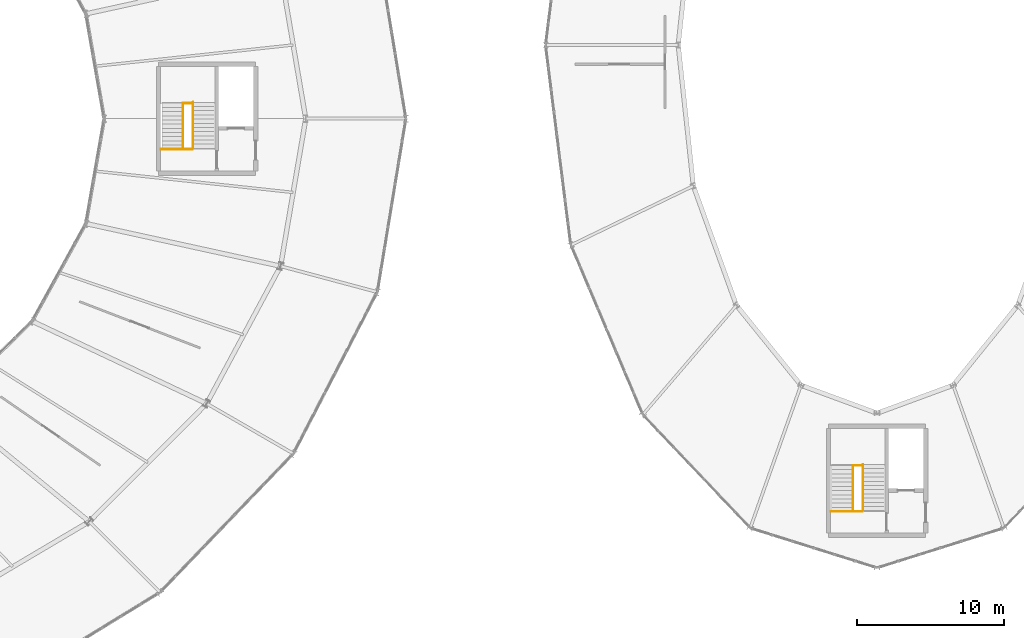
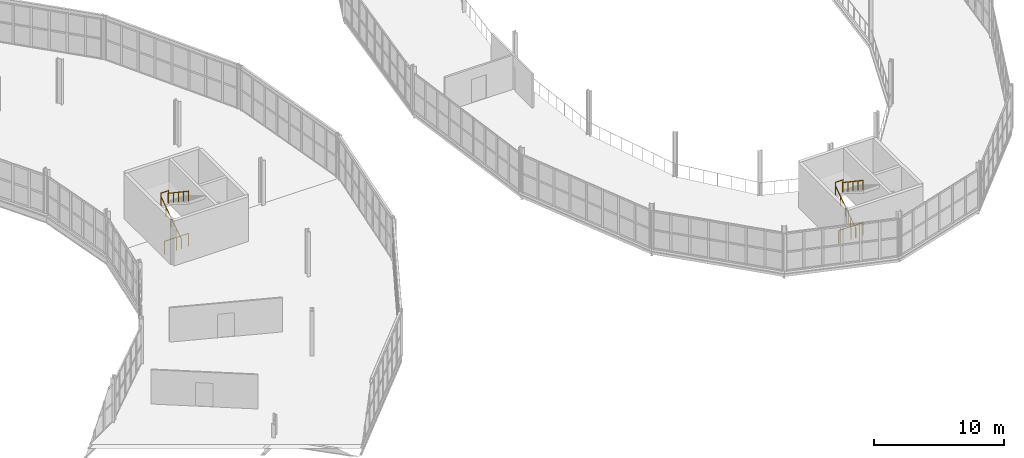
# One storey, part 157 of 161: 8 railings.
"""IFC4 building model written with IfcOpenShell, lengths in metres."""

from ifc_helpers import new_model, si_unit, direction, frame, origin, origin_2d, place, context, subcontext, project, spatial, circle, extrude, material, type_object, element, save


model = new_model("IFC4")

# Units and contexts
model_context = context("Model", 3, precision=1e-05, world=origin(), true_north=direction((0.0, 1.0)))
body_context = subcontext(model_context, "Body", "Model", "MODEL_VIEW")
ifc_project = project(units=[si_unit("LENGTHUNIT", "METRE"), si_unit("AREAUNIT", "SQUARE_METRE"), si_unit("VOLUMEUNIT", "CUBIC_METRE"), si_unit("PLANEANGLEUNIT", "RADIAN"), si_unit("MASSUNIT", "GRAM", prefix="KILO")], contexts=[model_context])

# Site, building, storey
site_placement = place(None, origin())
site = spatial("IfcSite", under=ifc_project, at=site_placement, CompositionType="ELEMENT")
building_placement = place(site_placement, origin())
building = spatial("IfcBuilding", under=site, at=building_placement, Name="Kildeholm Park Wholesale Market", CompositionType="ELEMENT")
storey_placement = place(building_placement, frame((0.0, 0.0, 5.39990234375)))
storey = spatial("IfcBuildingStorey", under=building, at=storey_placement, Name="L01", CompositionType="ELEMENT", Elevation=5.39990234375)

# Railings
ifc_material_1 = material(Name="Painted steel and laminated glass balustrade", Category="steel")
railing_type_1 = type_object("IfcRailingType", Name="Interior gallery and stairwell guard GR-IN1 1200 mm", PredefinedType="GUARDRAIL", material=ifc_material_1)
railing_1_placement = place(storey_placement, frame((139.360107421875, 87.429931640625, 0.0)))
element("IfcRailing", 1, at=railing_1_placement, inside=storey, type_object=railing_type_1, Name="Stair C08 upper floor well guard L01 RLG-0099", PredefinedType="GUARDRAIL", context=body_context, shape_type="SweptSolid", body=[
    extrude(circle(Radius=0.02392578125, at=origin_2d()), frame((0.0, 0.0, 1.17578125), z_axis=(1.0, 0.0, 0.0), x_axis=(0.0, 1.0, 0.0)), (0.0, 0.0, 1.0), 2.14990234375),
    extrude(circle(Radius=0.02099609375, at=origin_2d()), origin(), (0.0, 0.0, 1.0), 1.15185546875),
    extrude(circle(Radius=0.02099609375, at=origin_2d()), frame((1.074951171875, 0.0, 0.0)), (0.0, 0.0, 1.0), 1.15185546875),
    extrude(circle(Radius=0.02099609375, at=origin_2d()), frame((2.14990234375, 0.0, 0.0)), (0.0, 0.0, 1.0), 1.15185546875),
])
railing_2_placement = place(storey_placement, frame((140.860107421875, 90.544921875, 2.10009765625)))
element("IfcRailing", 2, at=railing_2_placement, inside=storey, type_object=railing_type_1, Name="Stair C08 half-landing well guard L01 RLG-0102", PredefinedType="GUARDRAIL", context=body_context, shape_type="SweptSolid", body=[
    extrude(circle(Radius=0.02392578125, at=origin_2d()), frame((0.0, 0.0, 1.17578125), z_axis=(1.0, 0.0, 0.0), x_axis=(0.0, 1.0, 0.0)), (0.0, 0.0, 1.0), 0.68994140625),
    extrude(circle(Radius=0.02099609375, at=origin_2d()), origin(), (0.0, 0.0, 1.0), 1.15185546875),
    extrude(circle(Radius=0.02099609375, at=origin_2d()), frame((0.68994140625, 0.0, 0.0)), (0.0, 0.0, 1.0), 1.15185546875),
])
railing_3_placement = place(storey_placement, frame((184.860107421875, 62.830078125, 0.0)))
element("IfcRailing", 3, at=railing_3_placement, inside=storey, type_object=railing_type_1, Name="Stair C12 upper floor well guard L01 RLG-0131", PredefinedType="GUARDRAIL", context=body_context, shape_type="SweptSolid", body=[
    extrude(circle(Radius=0.02392578125, at=origin_2d()), frame((0.0, 0.0, 1.17578125), z_axis=(1.0, 0.0, 0.0), x_axis=(0.0, 1.0, 0.0)), (0.0, 0.0, 1.0), 2.14990234375),
    extrude(circle(Radius=0.02099609375, at=origin_2d()), origin(), (0.0, 0.0, 1.0), 1.15185546875),
    extrude(circle(Radius=0.02099609375, at=origin_2d()), frame((1.074951171875, 0.0, 0.0)), (0.0, 0.0, 1.0), 1.15185546875),
    extrude(circle(Radius=0.02099609375, at=origin_2d()), frame((2.14990234375, 0.0, 0.0)), (0.0, 0.0, 1.0), 1.15185546875),
])
railing_4_placement = place(storey_placement, frame((186.360107421875, 65.945068359375, 2.10009765625)))
element("IfcRailing", 4, at=railing_4_placement, inside=storey, type_object=railing_type_1, Name="Stair C12 half-landing well guard L01 RLG-0134", PredefinedType="GUARDRAIL", context=body_context, shape_type="SweptSolid", body=[
    extrude(circle(Radius=0.02392578125, at=origin_2d()), frame((0.0, 0.0, 1.17578125), z_axis=(1.0, 0.0, 0.0), x_axis=(0.0, 1.0, 0.0)), (0.0, 0.0, 1.0), 0.68994140625),
    extrude(circle(Radius=0.02099609375, at=origin_2d()), origin(), (0.0, 0.0, 1.0), 1.15185546875),
    extrude(circle(Radius=0.02099609375, at=origin_2d()), frame((0.68994140625, 0.0, 0.0)), (0.0, 0.0, 1.0), 1.15185546875),
])
ifc_material_2 = material(Name="Stainless steel AISI 316 handrail", Category="steel")
railing_type_2 = type_object("IfcRailingType", Name="Stair flight handrail HR-IN1 900 mm", PredefinedType="HANDRAIL", material=ifc_material_2)
railing_5_placement = place(storey_placement, frame((140.860107421875, 87.419921875, 0.0)))
element("IfcRailing", 5, at=railing_5_placement, inside=storey, type_object=railing_type_2, Name="Stair C08 flight 1 handrail L01 RLG-0104", PredefinedType="HANDRAIL", context=body_context, shape_type="SweptSolid", body=[
    extrude(circle(Radius=0.02392578125, at=origin_2d()), frame((0.0, 0.0, 0.8759765625), z_axis=(0.0, 0.830813955726, 0.556550241192), x_axis=(-1.0, 0.0, 0.0)), (0.0, 0.0, 1.0), 3.7734375),
    extrude(circle(Radius=0.02099609375, at=origin_2d()), origin(), (0.0, 0.0, 1.0), 0.851806640625),
    extrude(circle(Radius=0.02099609375, at=origin_2d()), frame((0.0, 0.78369140625, 0.52490234375)), (0.0, 0.0, 1.0), 0.851806640625),
    extrude(circle(Radius=0.02099609375, at=origin_2d()), frame((0.0, 1.5673828125, 1.050048828125)), (0.0, 0.0, 1.0), 0.851806640625),
    extrude(circle(Radius=0.02099609375, at=origin_2d()), frame((0.0, 2.351318359375, 1.5751953125)), (0.0, 0.0, 1.0), 0.851806640625),
    extrude(circle(Radius=0.02099609375, at=origin_2d()), frame((0.0, 3.135009765625, 2.10009765625)), (0.0, 0.0, 1.0), 0.851806640625),
])
railing_6_placement = place(storey_placement, frame((141.550048828125, 90.614990234375, 2.10009765625)))
element("IfcRailing", 6, at=railing_6_placement, inside=storey, type_object=railing_type_2, Name="Stair C08 flight 2 handrail L01 RLG-0105", PredefinedType="HANDRAIL", context=body_context, shape_type="SweptSolid", body=[
    extrude(circle(Radius=0.02392578125, at=origin_2d()), frame((0.0, 0.0, 0.8759765625), z_axis=(0.0, -0.830813955726, 0.556550241192), x_axis=(1.0, 0.0, 0.0)), (0.0, 0.0, 1.0), 3.7734375),
    extrude(circle(Radius=0.02099609375, at=origin_2d()), origin(), (0.0, 0.0, 1.0), 0.851806640625),
    extrude(circle(Radius=0.02099609375, at=origin_2d()), frame((0.0, -0.78369140625, 0.52490234375)), (0.0, 0.0, 1.0), 0.851806640625),
    extrude(circle(Radius=0.02099609375, at=origin_2d()), frame((0.0, -1.5673828125, 1.050048828125)), (0.0, 0.0, 1.0), 0.851806640625),
    extrude(circle(Radius=0.02099609375, at=origin_2d()), frame((0.0, -2.351318359375, 1.5751953125)), (0.0, 0.0, 1.0), 0.851806640625),
    extrude(circle(Radius=0.02099609375, at=origin_2d()), frame((0.0, -3.135009765625, 2.10009765625)), (0.0, 0.0, 1.0), 0.851806640625),
])
railing_7_placement = place(storey_placement, frame((186.360107421875, 62.820068359375, 0.0)))
element("IfcRailing", 7, at=railing_7_placement, inside=storey, type_object=railing_type_2, Name="Stair C12 flight 1 handrail L01 RLG-0136", PredefinedType="HANDRAIL", context=body_context, shape_type="SweptSolid", body=[
    extrude(circle(Radius=0.02392578125, at=origin_2d()), frame((0.0, 0.0, 0.8759765625), z_axis=(0.0, 0.830813955726, 0.556550241192), x_axis=(-1.0, 0.0, 0.0)), (0.0, 0.0, 1.0), 3.7734375),
    extrude(circle(Radius=0.02099609375, at=origin_2d()), origin(), (0.0, 0.0, 1.0), 0.851806640625),
    extrude(circle(Radius=0.02099609375, at=origin_2d()), frame((0.0, 0.78369140625, 0.52490234375)), (0.0, 0.0, 1.0), 0.851806640625),
    extrude(circle(Radius=0.02099609375, at=origin_2d()), frame((0.0, 1.5673828125, 1.050048828125)), (0.0, 0.0, 1.0), 0.851806640625),
    extrude(circle(Radius=0.02099609375, at=origin_2d()), frame((0.0, 2.351318359375, 1.5751953125)), (0.0, 0.0, 1.0), 0.851806640625),
    extrude(circle(Radius=0.02099609375, at=origin_2d()), frame((0.0, 3.135009765625, 2.10009765625)), (0.0, 0.0, 1.0), 0.851806640625),
])
railing_8_placement = place(storey_placement, frame((187.050048828125, 66.014892578125, 2.10009765625)))
element("IfcRailing", 8, at=railing_8_placement, inside=storey, type_object=railing_type_2, Name="Stair C12 flight 2 handrail L01 RLG-0137", PredefinedType="HANDRAIL", context=body_context, shape_type="SweptSolid", body=[
    extrude(circle(Radius=0.02392578125, at=origin_2d()), frame((0.0, 0.0, 0.8759765625), z_axis=(0.0, -0.830813955726, 0.556550241192), x_axis=(1.0, 0.0, 0.0)), (0.0, 0.0, 1.0), 3.7734375),
    extrude(circle(Radius=0.02099609375, at=origin_2d()), origin(), (0.0, 0.0, 1.0), 0.851806640625),
    extrude(circle(Radius=0.02099609375, at=origin_2d()), frame((0.0, -0.78369140625, 0.52490234375)), (0.0, 0.0, 1.0), 0.851806640625),
    extrude(circle(Radius=0.02099609375, at=origin_2d()), frame((0.0, -1.5673828125, 1.050048828125)), (0.0, 0.0, 1.0), 0.851806640625),
    extrude(circle(Radius=0.02099609375, at=origin_2d()), frame((0.0, -2.351318359375, 1.5751953125)), (0.0, 0.0, 1.0), 0.851806640625),
    extrude(circle(Radius=0.02099609375, at=origin_2d()), frame((0.0, -3.135009765625, 2.10009765625)), (0.0, 0.0, 1.0), 0.851806640625),
])

save(model, "model.ifc")
